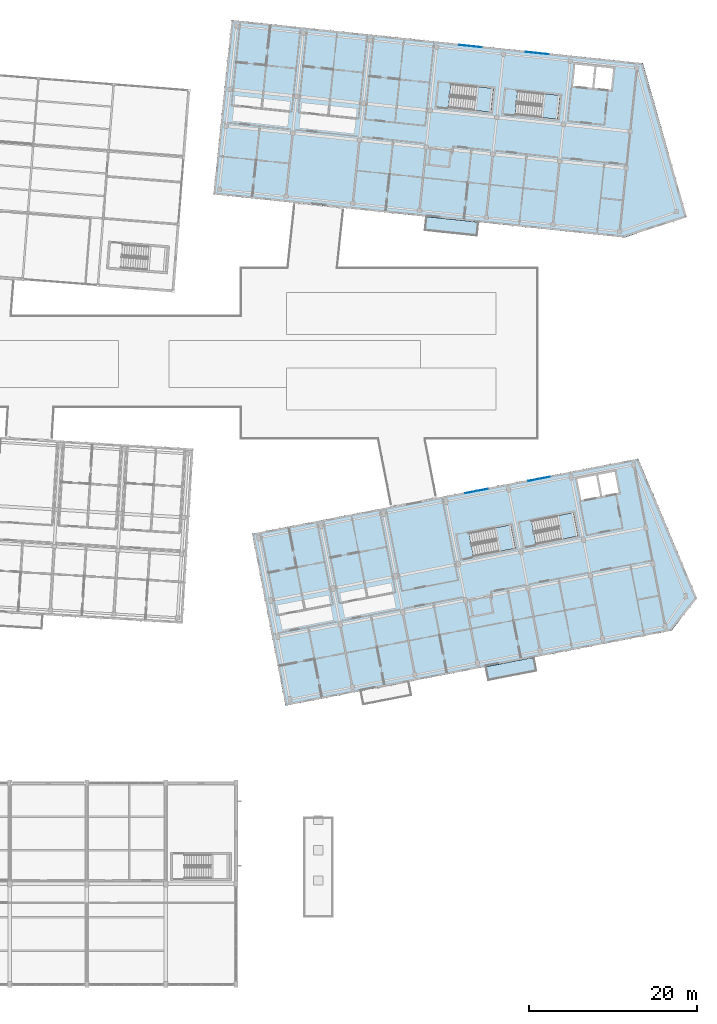
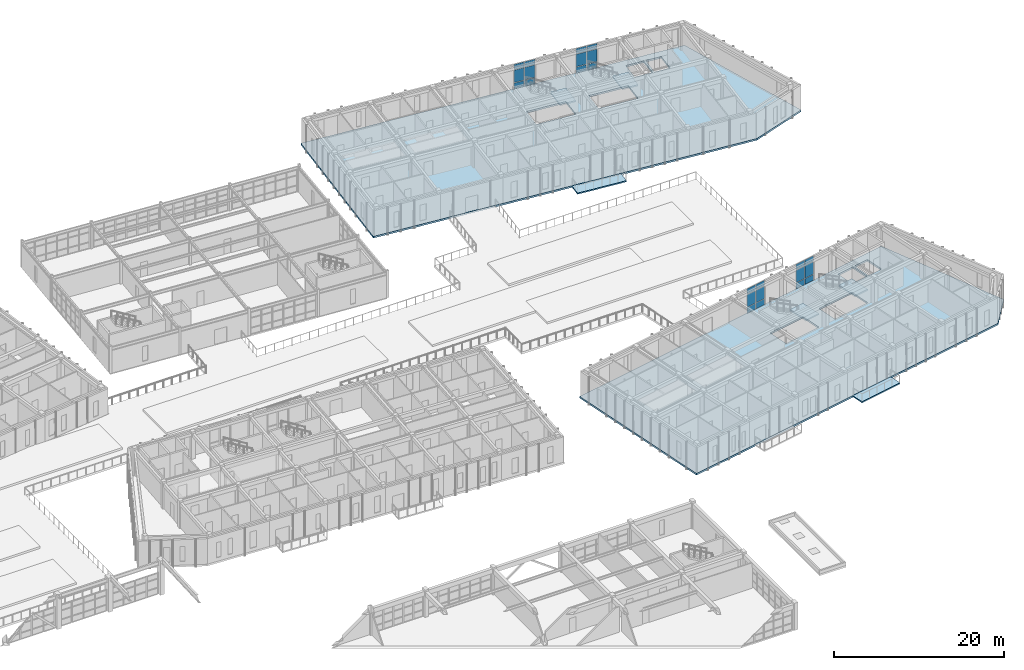
# One storey, part 76 of 150: 24 plates, 8 slabs, 8 elements without a shape of their own.
"""IFC4 building model written with IfcOpenShell, lengths in metres."""

from ifc_helpers import new_model, si_unit, direction, frame, origin, origin_2d, place, context, subcontext, project, spatial, polyline, rectangle, outline, extrude, material, layer, layer_set, type_object, element, aggregate, save


model = new_model("IFC4")

# Units and contexts
model_context = context("Model", 3, precision=1e-05, world=origin(), true_north=direction((0.0, 1.0)))
body_context = subcontext(model_context, "Body", "Model", "MODEL_VIEW")
ifc_project = project(units=[si_unit("LENGTHUNIT", "METRE"), si_unit("AREAUNIT", "SQUARE_METRE"), si_unit("VOLUMEUNIT", "CUBIC_METRE"), si_unit("PLANEANGLEUNIT", "RADIAN"), si_unit("MASSUNIT", "GRAM", prefix="KILO")], contexts=[model_context])

# Site, building, storey
site_placement = place(None, origin())
site = spatial("IfcSite", under=ifc_project, at=site_placement, CompositionType="ELEMENT")
building_placement = place(site_placement, origin())
building = spatial("IfcBuilding", under=site, at=building_placement, Name="Kestramere Prow Commons", CompositionType="ELEMENT")
storey_placement = place(building_placement, frame((0.0, 0.0, 4.5)))
storey = spatial("IfcBuildingStorey", under=building, at=storey_placement, Name="L01", CompositionType="ELEMENT", Elevation=4.5)

# Curtain wall, plates
ifc_material_1 = material(Name="Anodised Aluminium and Low-E Glass", Category="aluminium")
curtain_wall_type = type_object("IfcCurtainWallType", Name="CW-02 Glazed Curtain Wall 2830x3650", PredefinedType="USERDEFINED", material=ifc_material_1)
curtain_wall_1_placement = place(storey_placement, origin())
curtain_wall_1 = element("IfcCurtainWall", 1, at=curtain_wall_1_placement, inside=storey, type_object=curtain_wall_type, Name="Block B L01 Stairwell Vertical Glazing 4", ObjectType="GLAZED CURTAIN WALL", PredefinedType="USERDEFINED")
ifc_material_2 = material(Name="Low-E Laminated Double Glazing", Category="glass")
ifc_layer_1 = layer(ifc_material_2, 0.028076171875)
ifc_layer_set_1 = layer_set([ifc_layer_1], Name="Low-E Laminated Double Glazing")
plate_type = type_object("IfcPlateType", Name="CW-PNL-28", PredefinedType="CURTAIN_PANEL", material=ifc_layer_set_1)
plate_1_placement = place(storey_placement, frame((139.2626953125, 111.960205078125, 0.06494140625), z_axis=(0.0, 0.0, 1.0), x_axis=(0.994521879016, -0.104528618845, 0.0)))
plate_1 = element("IfcPlate", 2, at=plate_1_placement, type_object=plate_type, Name="CW-02 panel 1.1", PredefinedType="CURTAIN_PANEL", context=body_context, shape_type="SweptSolid", body=[
    extrude(rectangle(XDim=1.3173828125, YDim=0.028076171875, at=origin_2d()), origin(), (0.0, 0.0, 1.0), 0.8525390625),
])
plate_2_placement = place(storey_placement, frame((139.2626953125, 111.960205078125, 0.982421875), z_axis=(0.0, 0.0, 1.0), x_axis=(0.994521879016, -0.104528618845, 0.0)))
plate_2 = element("IfcPlate", 3, at=plate_2_placement, type_object=plate_type, Name="CW-02 panel 1.2", PredefinedType="CURTAIN_PANEL", context=body_context, shape_type="SweptSolid", body=[
    extrude(rectangle(XDim=1.3173828125, YDim=0.028076171875, at=origin_2d()), origin(), (0.0, 0.0, 1.0), 1.784912109375),
])
plate_3_placement = place(storey_placement, frame((139.2626953125, 111.960205078125, 2.83251953125), z_axis=(0.0, 0.0, 1.0), x_axis=(0.994521879016, -0.104528618845, 0.0)))
plate_3 = element("IfcPlate", 4, at=plate_3_placement, type_object=plate_type, Name="CW-02 panel 1.3", PredefinedType="CURTAIN_PANEL", context=body_context, shape_type="SweptSolid", body=[
    extrude(rectangle(XDim=1.3173828125, YDim=0.028076171875, at=origin_2d()), origin(), (0.0, 0.0, 1.0), 0.75244140625),
])
plate_4_placement = place(storey_placement, frame((140.6376953125, 111.815673828125, 0.06494140625), z_axis=(0.0, 0.0, 1.0), x_axis=(0.994521879016, -0.104528618845, 0.0)))
plate_4 = element("IfcPlate", 5, at=plate_4_placement, type_object=plate_type, Name="CW-02 panel 2.1", PredefinedType="CURTAIN_PANEL", context=body_context, shape_type="SweptSolid", body=[
    extrude(rectangle(XDim=1.3173828125, YDim=0.028076171875, at=origin_2d()), origin(), (0.0, 0.0, 1.0), 0.8525390625),
])
plate_5_placement = place(storey_placement, frame((140.6376953125, 111.815673828125, 0.982421875), z_axis=(0.0, 0.0, 1.0), x_axis=(0.994521879016, -0.104528618845, 0.0)))
plate_5 = element("IfcPlate", 6, at=plate_5_placement, type_object=plate_type, Name="CW-02 panel 2.2", PredefinedType="CURTAIN_PANEL", context=body_context, shape_type="SweptSolid", body=[
    extrude(rectangle(XDim=1.3173828125, YDim=0.028076171875, at=origin_2d()), origin(), (0.0, 0.0, 1.0), 1.784912109375),
])
plate_6_placement = place(storey_placement, frame((140.6376953125, 111.815673828125, 2.83251953125), z_axis=(0.0, 0.0, 1.0), x_axis=(0.994521879016, -0.104528618845, 0.0)))
plate_6 = element("IfcPlate", 7, at=plate_6_placement, type_object=plate_type, Name="CW-02 panel 2.3", PredefinedType="CURTAIN_PANEL", context=body_context, shape_type="SweptSolid", body=[
    extrude(rectangle(XDim=1.3173828125, YDim=0.028076171875, at=origin_2d()), origin(), (0.0, 0.0, 1.0), 0.75244140625),
])
aggregate(curtain_wall_1, [plate_1, plate_2, plate_3, plate_4, plate_5, plate_6])

curtain_wall_2_placement = place(storey_placement, origin())
curtain_wall_2 = element("IfcCurtainWall", 8, at=curtain_wall_2_placement, inside=storey, type_object=curtain_wall_type, Name="Block B L01 Stairwell Vertical Glazing 5", ObjectType="GLAZED CURTAIN WALL", PredefinedType="USERDEFINED")
plate_7_placement = place(storey_placement, frame((147.218994140625, 111.1240234375, 0.06494140625), z_axis=(0.0, 0.0, 1.0), x_axis=(0.99452191575, -0.104528269348, 0.0)))
plate_7 = element("IfcPlate", 9, at=plate_7_placement, type_object=plate_type, Name="CW-02 panel 1.1", PredefinedType="CURTAIN_PANEL", context=body_context, shape_type="SweptSolid", body=[
    extrude(rectangle(XDim=1.3173828125, YDim=0.028076171875, at=origin_2d()), origin(), (0.0, 0.0, 1.0), 0.8525390625),
])
plate_8_placement = place(storey_placement, frame((147.218994140625, 111.1240234375, 0.982421875), z_axis=(0.0, 0.0, 1.0), x_axis=(0.99452191575, -0.104528269348, 0.0)))
plate_8 = element("IfcPlate", 10, at=plate_8_placement, type_object=plate_type, Name="CW-02 panel 1.2", PredefinedType="CURTAIN_PANEL", context=body_context, shape_type="SweptSolid", body=[
    extrude(rectangle(XDim=1.3173828125, YDim=0.028076171875, at=origin_2d()), origin(), (0.0, 0.0, 1.0), 1.784912109375),
])
plate_9_placement = place(storey_placement, frame((147.218994140625, 111.1240234375, 2.83251953125), z_axis=(0.0, 0.0, 1.0), x_axis=(0.99452191575, -0.104528269348, 0.0)))
plate_9 = element("IfcPlate", 11, at=plate_9_placement, type_object=plate_type, Name="CW-02 panel 1.3", PredefinedType="CURTAIN_PANEL", context=body_context, shape_type="SweptSolid", body=[
    extrude(rectangle(XDim=1.3173828125, YDim=0.028076171875, at=origin_2d()), origin(), (0.0, 0.0, 1.0), 0.75244140625),
])
plate_10_placement = place(storey_placement, frame((148.593994140625, 110.9794921875, 0.06494140625), z_axis=(0.0, 0.0, 1.0), x_axis=(0.99452191575, -0.104528269348, 0.0)))
plate_10 = element("IfcPlate", 12, at=plate_10_placement, type_object=plate_type, Name="CW-02 panel 2.1", PredefinedType="CURTAIN_PANEL", context=body_context, shape_type="SweptSolid", body=[
    extrude(rectangle(XDim=1.3173828125, YDim=0.028076171875, at=origin_2d()), origin(), (0.0, 0.0, 1.0), 0.8525390625),
])
plate_11_placement = place(storey_placement, frame((148.593994140625, 110.9794921875, 0.982421875), z_axis=(0.0, 0.0, 1.0), x_axis=(0.99452191575, -0.104528269348, 0.0)))
plate_11 = element("IfcPlate", 13, at=plate_11_placement, type_object=plate_type, Name="CW-02 panel 2.2", PredefinedType="CURTAIN_PANEL", context=body_context, shape_type="SweptSolid", body=[
    extrude(rectangle(XDim=1.3173828125, YDim=0.028076171875, at=origin_2d()), origin(), (0.0, 0.0, 1.0), 1.784912109375),
])
plate_12_placement = place(storey_placement, frame((148.593994140625, 110.9794921875, 2.83251953125), z_axis=(0.0, 0.0, 1.0), x_axis=(0.99452191575, -0.104528269348, 0.0)))
plate_12 = element("IfcPlate", 14, at=plate_12_placement, type_object=plate_type, Name="CW-02 panel 2.3", PredefinedType="CURTAIN_PANEL", context=body_context, shape_type="SweptSolid", body=[
    extrude(rectangle(XDim=1.3173828125, YDim=0.028076171875, at=origin_2d()), origin(), (0.0, 0.0, 1.0), 0.75244140625),
])
aggregate(curtain_wall_2, [plate_7, plate_8, plate_9, plate_10, plate_11, plate_12])

curtain_wall_3_placement = place(storey_placement, origin())
curtain_wall_3 = element("IfcCurtainWall", 15, at=curtain_wall_3_placement, inside=storey, type_object=curtain_wall_type, Name="Block D L01 Stairwell Vertical Glazing 4", ObjectType="GLAZED CURTAIN WALL", PredefinedType="USERDEFINED")
plate_13_placement = place(storey_placement, frame((139.99267578125, 58.698974609375, 0.06494140625), z_axis=(0.0, 0.0, 1.0), x_axis=(0.981627214599, 0.190808835118, 0.0)))
plate_13 = element("IfcPlate", 16, at=plate_13_placement, type_object=plate_type, Name="CW-02 panel 1.1", PredefinedType="CURTAIN_PANEL", context=body_context, shape_type="SweptSolid", body=[
    extrude(rectangle(XDim=1.3173828125, YDim=0.028076171875, at=origin_2d()), origin(), (0.0, 0.0, 1.0), 0.8525390625),
])
plate_14_placement = place(storey_placement, frame((139.99267578125, 58.698974609375, 0.982421875), z_axis=(0.0, 0.0, 1.0), x_axis=(0.981627214599, 0.190808835118, 0.0)))
plate_14 = element("IfcPlate", 17, at=plate_14_placement, type_object=plate_type, Name="CW-02 panel 1.2", PredefinedType="CURTAIN_PANEL", context=body_context, shape_type="SweptSolid", body=[
    extrude(rectangle(XDim=1.3173828125, YDim=0.028076171875, at=origin_2d()), origin(), (0.0, 0.0, 1.0), 1.784912109375),
])
plate_15_placement = place(storey_placement, frame((139.99267578125, 58.698974609375, 2.83251953125), z_axis=(0.0, 0.0, 1.0), x_axis=(0.981627214599, 0.190808835118, 0.0)))
plate_15 = element("IfcPlate", 18, at=plate_15_placement, type_object=plate_type, Name="CW-02 panel 1.3", PredefinedType="CURTAIN_PANEL", context=body_context, shape_type="SweptSolid", body=[
    extrude(rectangle(XDim=1.3173828125, YDim=0.028076171875, at=origin_2d()), origin(), (0.0, 0.0, 1.0), 0.75244140625),
])
plate_16_placement = place(storey_placement, frame((141.349853515625, 58.962646484375, 0.06494140625), z_axis=(0.0, 0.0, 1.0), x_axis=(0.981627214599, 0.190808835118, 0.0)))
plate_16 = element("IfcPlate", 19, at=plate_16_placement, type_object=plate_type, Name="CW-02 panel 2.1", PredefinedType="CURTAIN_PANEL", context=body_context, shape_type="SweptSolid", body=[
    extrude(rectangle(XDim=1.3173828125, YDim=0.028076171875, at=origin_2d()), origin(), (0.0, 0.0, 1.0), 0.8525390625),
])
plate_17_placement = place(storey_placement, frame((141.349853515625, 58.962646484375, 0.982421875), z_axis=(0.0, 0.0, 1.0), x_axis=(0.981627214599, 0.190808835118, 0.0)))
plate_17 = element("IfcPlate", 20, at=plate_17_placement, type_object=plate_type, Name="CW-02 panel 2.2", PredefinedType="CURTAIN_PANEL", context=body_context, shape_type="SweptSolid", body=[
    extrude(rectangle(XDim=1.3173828125, YDim=0.028076171875, at=origin_2d()), origin(), (0.0, 0.0, 1.0), 1.784912109375),
])
plate_18_placement = place(storey_placement, frame((141.349853515625, 58.962646484375, 2.83251953125), z_axis=(0.0, 0.0, 1.0), x_axis=(0.981627214599, 0.190808835118, 0.0)))
plate_18 = element("IfcPlate", 21, at=plate_18_placement, type_object=plate_type, Name="CW-02 panel 2.3", PredefinedType="CURTAIN_PANEL", context=body_context, shape_type="SweptSolid", body=[
    extrude(rectangle(XDim=1.3173828125, YDim=0.028076171875, at=origin_2d()), origin(), (0.0, 0.0, 1.0), 0.75244140625),
])
aggregate(curtain_wall_3, [plate_13, plate_14, plate_15, plate_16, plate_17, plate_18])

curtain_wall_4_placement = place(storey_placement, origin())
curtain_wall_4 = element("IfcCurtainWall", 22, at=curtain_wall_4_placement, inside=storey, type_object=curtain_wall_type, Name="Block D L01 Stairwell Vertical Glazing 5", ObjectType="GLAZED CURTAIN WALL", PredefinedType="USERDEFINED")
plate_19_placement = place(storey_placement, frame((147.453125, 60.14892578125, 0.06494140625), z_axis=(0.0, 0.0, 1.0), x_axis=(0.981627214599, 0.190808835118, 0.0)))
plate_19 = element("IfcPlate", 23, at=plate_19_placement, type_object=plate_type, Name="CW-02 panel 1.1", PredefinedType="CURTAIN_PANEL", context=body_context, shape_type="SweptSolid", body=[
    extrude(rectangle(XDim=1.3173828125, YDim=0.028076171875, at=origin_2d()), origin(), (0.0, 0.0, 1.0), 0.8525390625),
])
plate_20_placement = place(storey_placement, frame((147.453125, 60.14892578125, 0.982421875), z_axis=(0.0, 0.0, 1.0), x_axis=(0.981627214599, 0.190808835118, 0.0)))
plate_20 = element("IfcPlate", 24, at=plate_20_placement, type_object=plate_type, Name="CW-02 panel 1.2", PredefinedType="CURTAIN_PANEL", context=body_context, shape_type="SweptSolid", body=[
    extrude(rectangle(XDim=1.3173828125, YDim=0.028076171875, at=origin_2d()), origin(), (0.0, 0.0, 1.0), 1.784912109375),
])
plate_21_placement = place(storey_placement, frame((147.453125, 60.14892578125, 2.83251953125), z_axis=(0.0, 0.0, 1.0), x_axis=(0.981627214599, 0.190808835118, 0.0)))
plate_21 = element("IfcPlate", 25, at=plate_21_placement, type_object=plate_type, Name="CW-02 panel 1.3", PredefinedType="CURTAIN_PANEL", context=body_context, shape_type="SweptSolid", body=[
    extrude(rectangle(XDim=1.3173828125, YDim=0.028076171875, at=origin_2d()), origin(), (0.0, 0.0, 1.0), 0.75244140625),
])
plate_22_placement = place(storey_placement, frame((148.81005859375, 60.412841796875, 0.06494140625), z_axis=(0.0, 0.0, 1.0), x_axis=(0.981627214599, 0.190808835118, 0.0)))
plate_22 = element("IfcPlate", 26, at=plate_22_placement, type_object=plate_type, Name="CW-02 panel 2.1", PredefinedType="CURTAIN_PANEL", context=body_context, shape_type="SweptSolid", body=[
    extrude(rectangle(XDim=1.3173828125, YDim=0.028076171875, at=origin_2d()), origin(), (0.0, 0.0, 1.0), 0.8525390625),
])
plate_23_placement = place(storey_placement, frame((148.81005859375, 60.412841796875, 0.982421875), z_axis=(0.0, 0.0, 1.0), x_axis=(0.981627214599, 0.190808835118, 0.0)))
plate_23 = element("IfcPlate", 27, at=plate_23_placement, type_object=plate_type, Name="CW-02 panel 2.2", PredefinedType="CURTAIN_PANEL", context=body_context, shape_type="SweptSolid", body=[
    extrude(rectangle(XDim=1.3173828125, YDim=0.028076171875, at=origin_2d()), origin(), (0.0, 0.0, 1.0), 1.784912109375),
])
plate_24_placement = place(storey_placement, frame((148.81005859375, 60.412841796875, 2.83251953125), z_axis=(0.0, 0.0, 1.0), x_axis=(0.981627214599, 0.190808835118, 0.0)))
plate_24 = element("IfcPlate", 28, at=plate_24_placement, type_object=plate_type, Name="CW-02 panel 2.3", PredefinedType="CURTAIN_PANEL", context=body_context, shape_type="SweptSolid", body=[
    extrude(rectangle(XDim=1.3173828125, YDim=0.028076171875, at=origin_2d()), origin(), (0.0, 0.0, 1.0), 0.75244140625),
])
aggregate(curtain_wall_4, [plate_19, plate_20, plate_21, plate_22, plate_23, plate_24])

# Slabs
ifc_material_3 = material(Name="Precast concrete C40/50", Category="concrete")
ifc_layer_2 = layer(ifc_material_3, 0.179931640625)
ifc_layer_set_2 = layer_set([ifc_layer_2], Name="Precast concrete C40/50")
slab_type_1 = type_object("IfcSlabType", Name="SL-BALC-180", PredefinedType="FLOOR", material=ifc_layer_set_2)
slab_1_placement = place(storey_placement, frame((0.0, 0.0, -0.179931640625)))
element("IfcSlab", 29, at=slab_1_placement, inside=storey, type_object=slab_type_1, Name="Block B L01 Apartment Balcony Slab 4", PredefinedType="FLOOR", context=body_context, shape_type="SweptSolid", body=[
    extrude(outline(polyline([(134.473388671875, 89.9150390625), (140.739013671875, 89.256591796875), (140.911376953125, 90.8974609375), (134.64599609375, 91.555908203125), (134.473388671875, 89.9150390625)])), origin(), (0.0, 0.0, 1.0), 0.179931640625),
])
slab_2_placement = place(storey_placement, frame((0.0, 0.0, -0.179931640625)))
element("IfcSlab", 30, at=slab_2_placement, inside=storey, type_object=slab_type_1, Name="Block D L01 Apartment Balcony Slab 4", PredefinedType="FLOOR", context=body_context, shape_type="SweptSolid", body=[
    extrude(outline(polyline([(142.054443359375, 36.2548828125), (147.845947265625, 37.380615234375), (147.531005859375, 39.000244140625), (141.739501953125, 37.87451171875), (142.054443359375, 36.2548828125)])), origin(), (0.0, 0.0, 1.0), 0.179931640625),
])
ifc_layer_3 = layer(ifc_material_3, 0.25)
ifc_layer_set_3 = layer_set([ifc_layer_3], Name="Precast concrete C40/50")
slab_type_2 = type_object("IfcSlabType", Name="SL-HC-250", PredefinedType="FLOOR", material=ifc_layer_set_3)
slab_3_placement = place(storey_placement, frame((0.0, 0.0, -0.25)))
element("IfcSlab", 31, at=slab_3_placement, inside=storey, type_object=slab_type_2, Name="Block B L01 Hollowcore Floor Slab", PredefinedType="FLOOR", context=body_context, shape_type="SweptSolid", body=[
    extrude(outline(polyline([(109.28564453125, 94.221435546875), (158.3154296875, 89.068359375), (165.71630859375, 91.558349609375), (160.500244140625, 109.853759765625), (111.47021484375, 115.007080078125), (109.28564453125, 94.221435546875)]), holes=[polyline([(152.1728515625, 107.159423828125), (154.46044921875, 106.9189453125), (154.726806640625, 109.455078125), (152.439453125, 109.695556640625), (152.1728515625, 107.159423828125)]), polyline([(154.708984375, 106.892822265625), (156.697998046875, 106.683837890625), (156.964599609375, 109.219970703125), (154.9755859375, 109.428955078125), (154.708984375, 106.892822265625)]), polyline([(137.318603515625, 104.5478515625), (142.390625, 104.0146484375), (142.6884765625, 106.84912109375), (137.616455078125, 107.38232421875), (137.318603515625, 104.5478515625)]), polyline([(145.274658203125, 103.711669921875), (150.346923828125, 103.178466796875), (150.644775390625, 106.012939453125), (145.57275390625, 106.5458984375), (145.274658203125, 103.711669921875)])]), origin(), (0.0, 0.0, 1.0), 0.25),
])
slab_4_placement = place(storey_placement, frame((0.0, 0.0, -0.25)))
element("IfcSlab", 32, at=slab_4_placement, inside=storey, type_object=slab_type_2, Name="Block D L01 Hollowcore Floor Slab", PredefinedType="FLOOR", context=body_context, shape_type="SweptSolid", body=[
    extrude(outline(polyline([(117.885986328125, 33.238037109375), (163.92431640625, 42.186767578125), (166.936279296875, 46.083251953125), (159.936279296875, 62.702880859375), (113.89794921875, 53.75390625), (117.885986328125, 33.238037109375)]), holes=[polyline([(153.1533203125, 57.767822265625), (155.4111328125, 58.206787109375), (154.924560546875, 60.7099609375), (152.666748046875, 60.27099609375), (153.1533203125, 57.767822265625)]), polyline([(155.656494140625, 58.25439453125), (157.619873046875, 58.63623046875), (157.13330078125, 61.13916015625), (155.169921875, 60.757568359375), (155.656494140625, 58.25439453125)]), polyline([(140.300537109375, 51.0419921875), (145.306884765625, 52.01513671875), (144.76318359375, 54.812744140625), (139.7568359375, 53.839599609375), (140.300537109375, 51.0419921875)]), polyline([(147.760986328125, 52.4921875), (152.767333984375, 53.46533203125), (152.223388671875, 56.262939453125), (147.21728515625, 55.289794921875), (147.760986328125, 52.4921875)])]), origin(), (0.0, 0.0, 1.0), 0.25),
])

# Stair, slab
ifc_material_4 = material(Name="Concrete C40/50", Category="concrete")
stair_type = type_object("IfcStairType", Name="ST-DOG-1350", PredefinedType="HALF_TURN_STAIR", material=ifc_material_4)
stair_1_placement = place(storey_placement, origin())
stair_1 = element("IfcStair", 33, at=stair_1_placement, inside=storey, type_object=stair_type, Name="L01 Block B Exit Stair 1", PredefinedType="HALF_TURN_STAIR")
ifc_layer_4 = layer(ifc_material_4, 0.199951171875)
ifc_layer_set_4 = layer_set([ifc_layer_4], Name="Concrete C40/50")
slab_type_3 = type_object("IfcSlabType", Name="SL-ST-LAND-200", PredefinedType="LANDING", material=ifc_layer_set_4)
slab_5_placement = place(storey_placement, frame((0.0, 0.0, 1.75)))
slab_5 = element("IfcSlab", 34, at=slab_5_placement, type_object=slab_type_3, Name="ST-B1 landing 1", PredefinedType="LANDING", context=body_context, shape_type="SweptSolid", body=[
    extrude(outline(polyline([(140.381591796875, 104.225830078125), (142.390625, 104.0146484375), (142.6884765625, 106.84912109375), (140.6796875, 107.060302734375), (140.381591796875, 104.225830078125)])), origin(), (0.0, 0.0, 1.0), 0.199951171875),
])
aggregate(stair_1, [slab_5])

stair_2_placement = place(storey_placement, origin())
stair_2 = element("IfcStair", 35, at=stair_2_placement, inside=storey, type_object=stair_type, Name="L01 Block B Exit Stair 2", PredefinedType="HALF_TURN_STAIR")
slab_6_placement = place(storey_placement, frame((0.0, 0.0, 1.75)))
slab_6 = element("IfcSlab", 36, at=slab_6_placement, type_object=slab_type_3, Name="ST-B2 landing 1", PredefinedType="LANDING", context=body_context, shape_type="SweptSolid", body=[
    extrude(outline(polyline([(148.337890625, 103.3896484375), (150.346923828125, 103.178466796875), (150.644775390625, 106.012939453125), (148.6357421875, 106.22412109375), (148.337890625, 103.3896484375)])), origin(), (0.0, 0.0, 1.0), 0.199951171875),
])
aggregate(stair_2, [slab_6])

stair_3_placement = place(storey_placement, origin())
stair_3 = element("IfcStair", 37, at=stair_3_placement, inside=storey, type_object=stair_type, Name="L01 Block D Exit Stair 1", PredefinedType="HALF_TURN_STAIR")
slab_7_placement = place(storey_placement, frame((0.0, 0.0, 1.75)))
slab_7 = element("IfcSlab", 38, at=slab_7_placement, type_object=slab_type_3, Name="ST-D1 landing 1", PredefinedType="LANDING", context=body_context, shape_type="SweptSolid", body=[
    extrude(outline(polyline([(143.323974609375, 51.629638671875), (145.306884765625, 52.01513671875), (144.76318359375, 54.812744140625), (142.7802734375, 54.42724609375), (143.323974609375, 51.629638671875)])), origin(), (0.0, 0.0, 1.0), 0.199951171875),
])
aggregate(stair_3, [slab_7])

stair_4_placement = place(storey_placement, origin())
stair_4 = element("IfcStair", 39, at=stair_4_placement, inside=storey, type_object=stair_type, Name="L01 Block D Exit Stair 2", PredefinedType="HALF_TURN_STAIR")
slab_8_placement = place(storey_placement, frame((0.0, 0.0, 1.75)))
slab_8 = element("IfcSlab", 40, at=slab_8_placement, type_object=slab_type_3, Name="ST-D2 landing 1", PredefinedType="LANDING", context=body_context, shape_type="SweptSolid", body=[
    extrude(outline(polyline([(150.784423828125, 53.079833984375), (152.767333984375, 53.46533203125), (152.223388671875, 56.262939453125), (150.240478515625, 55.87744140625), (150.784423828125, 53.079833984375)])), origin(), (0.0, 0.0, 1.0), 0.199951171875),
])
aggregate(stair_4, [slab_8])

save(model, "model.ifc")
